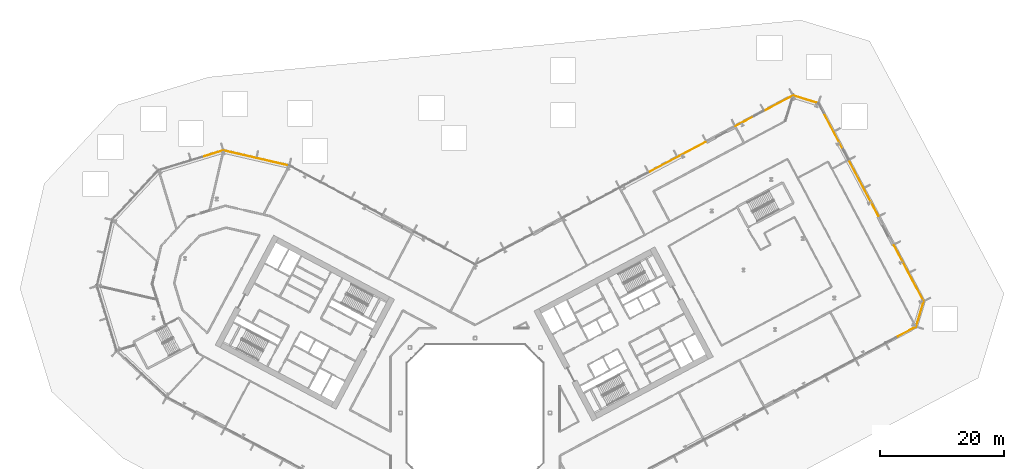
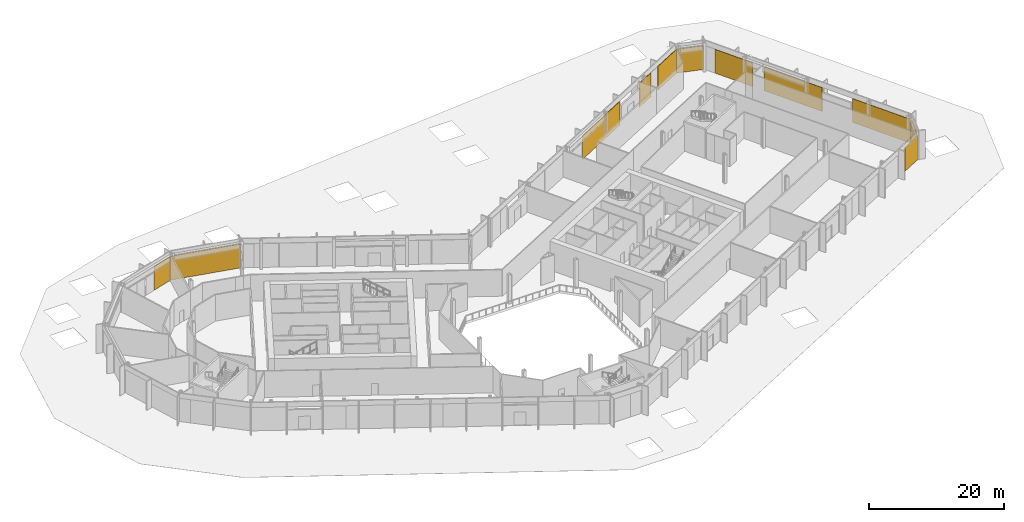
# One storey, part 30 of 30: 11 coverings, 7 elements without a shape of their own.
"""IFC4 building model written with IfcOpenShell, lengths in metres."""

from ifc_helpers import new_model, si_unit, direction, frame, origin, origin_2d, place, context, subcontext, project, spatial, rectangle, extrude, material, layer, layer_set, type_object, element, aggregate, save


model = new_model("IFC4")

# Units and contexts
model_context = context("Model", 3, precision=1e-05, world=origin(), true_north=direction((0.0, 1.0)))
body_context = subcontext(model_context, "Body", "Model", "MODEL_VIEW")
ifc_project = project(units=[si_unit("LENGTHUNIT", "METRE"), si_unit("AREAUNIT", "SQUARE_METRE"), si_unit("VOLUMEUNIT", "CUBIC_METRE"), si_unit("PLANEANGLEUNIT", "RADIAN"), si_unit("MASSUNIT", "GRAM", prefix="KILO")], contexts=[model_context])

# Site, building, storey
site_placement = place(None, origin())
site = spatial("IfcSite", under=ifc_project, at=site_placement, CompositionType="ELEMENT")
building_placement = place(site_placement, origin())
building = spatial("IfcBuilding", under=site, at=building_placement, Name="Cormorant Relay Tower", CompositionType="ELEMENT")
storey_placement = place(building_placement, frame((0.0, 0.0, 7.0)))
storey = spatial("IfcBuildingStorey", under=building, at=storey_placement, Name="L01", CompositionType="ELEMENT", Elevation=7.0)

# Curtain wall, covering
ifc_material_1 = material(Name="Aluminium 6063-T6 anodised bronze", Category="aluminium")
ifc_layer_1 = layer(ifc_material_1, 0.235107421875)
ifc_layer_set_1 = layer_set([ifc_layer_1], Name="CW6 data hall curtain wall with mineral wool panels")
curtain_wall_type = type_object("IfcCurtainWallType", Name="CW6 data hall curtain wall with mineral wool panels", PredefinedType="NOTDEFINED", material=ifc_layer_set_1)
curtain_wall_1_placement = place(storey_placement, origin())
curtain_wall_1 = element("IfcCurtainWall", 1, at=curtain_wall_1_placement, inside=storey, type_object=curtain_wall_type, Name="CW6 curtain wall 2", PredefinedType="NOTDEFINED")
ifc_material_2 = material(Name="Mineral wool cored anodised bronze aluminium cassette panel", Category="aluminium")
ifc_layer_2 = layer(ifc_material_2, 0.074951171875)
ifc_layer_set_2 = layer_set([ifc_layer_2], Name="CW6 mineral wool cassette panel 75")
covering_type = type_object("IfcCoveringType", Name="CW6 mineral wool cassette panel 75", PredefinedType="CLADDING", material=ifc_layer_set_2)
covering_1_placement = place(storey_placement, frame((69.1943359375, 12.96484375, 0.0), z_axis=(0.0, 0.0, 1.0), x_axis=(0.882947592859, 0.469471562786, 0.0)))
covering_1 = element("IfcCovering", 2, at=covering_1_placement, type_object=covering_type, Name="CW6 panel S15", PredefinedType="CLADDING", context=body_context, shape_type="SweptSolid", body=[
    extrude(rectangle(XDim=3.63671875, YDim=0.074951171875, at=origin_2d()), origin(), (0.0, 0.0, 1.0), 4.300048828125),
])
aggregate(curtain_wall_1, [covering_1])

curtain_wall_2_placement = place(storey_placement, origin())
curtain_wall_2 = element("IfcCurtainWall", 3, at=curtain_wall_2_placement, inside=storey, type_object=curtain_wall_type, Name="CW6 curtain wall 3", PredefinedType="NOTDEFINED")
covering_2_placement = place(storey_placement, frame((71.44921875, 15.9052734375, 0.0), z_axis=(0.0, 0.0, 1.0), x_axis=(0.292371704723, 0.956304755963, 0.0)))
covering_2 = element("IfcCovering", 4, at=covering_2_placement, type_object=covering_type, Name="CW6 panel S00", PredefinedType="CLADDING", context=body_context, shape_type="SweptSolid", body=[
    extrude(rectangle(XDim=4.16748046875, YDim=0.074951171875, at=origin_2d()), origin(), (0.0, 0.0, 1.0), 4.300048828125),
])
aggregate(curtain_wall_2, [covering_2])

# Curtain wall, coverings
curtain_wall_3_placement = place(storey_placement, origin())
curtain_wall_3 = element("IfcCurtainWall", 5, at=curtain_wall_3_placement, inside=storey, type_object=curtain_wall_type, Name="CW6 curtain wall 4", PredefinedType="NOTDEFINED")
covering_3_placement = place(storey_placement, frame((69.641357421875, 22.46728515625, 0.0), z_axis=(0.0, 0.0, 1.0), x_axis=(-0.469471562786, 0.882947592859, 0.0)))
covering_3 = element("IfcCovering", 6, at=covering_3_placement, type_object=covering_type, Name="CW6 panel S00", PredefinedType="CLADDING", context=body_context, shape_type="SweptSolid", body=[
    extrude(rectangle(XDim=10.1357421875, YDim=0.074951171875, at=origin_2d()), origin(), (0.0, 0.0, 1.0), 4.300048828125),
])
covering_4_placement = place(storey_placement, frame((62.398193359375, 36.090087890625, 0.0), z_axis=(0.0, 0.0, 1.0), x_axis=(-0.469471562786, 0.882947592859, 0.0)))
covering_4 = element("IfcCovering", 7, at=covering_4_placement, type_object=covering_type, Name="CW6 panel S02", PredefinedType="CLADDING", context=body_context, shape_type="SweptSolid", body=[
    extrude(rectangle(XDim=10.1357421875, YDim=0.074951171875, at=origin_2d()), origin(), (0.0, 0.0, 1.0), 4.300048828125),
])
covering_5_placement = place(storey_placement, frame((57.5517578125, 45.204833984375, 0.0), z_axis=(0.0, 0.0, 1.0), x_axis=(-0.469471562786, 0.882947592859, 0.0)))
covering_5 = element("IfcCovering", 8, at=covering_5_placement, type_object=covering_type, Name="CW6 panel S04", PredefinedType="CLADDING", context=body_context, shape_type="SweptSolid", body=[
    extrude(rectangle(XDim=6.610595703125, YDim=0.074951171875, at=origin_2d()), origin(), (0.0, 0.0, 1.0), 4.300048828125),
])
aggregate(curtain_wall_3, [covering_3, covering_4, covering_5])

# Curtain wall, covering
curtain_wall_4_placement = place(storey_placement, origin())
curtain_wall_4 = element("IfcCurtainWall", 9, at=curtain_wall_4_placement, inside=storey, type_object=curtain_wall_type, Name="CW6 curtain wall 5", PredefinedType="NOTDEFINED")
covering_6_placement = place(storey_placement, frame((53.068115234375, 50.362060546875, 0.0), z_axis=(0.0, 0.0, 1.0), x_axis=(-0.956304755963, 0.292371704723, 0.0)))
covering_6 = element("IfcCovering", 10, at=covering_6_placement, type_object=covering_type, Name="CW6 panel S00", PredefinedType="CLADDING", context=body_context, shape_type="SweptSolid", body=[
    extrude(rectangle(XDim=4.16748046875, YDim=0.074951171875, at=origin_2d()), origin(), (0.0, 0.0, 1.0), 4.300048828125),
])
aggregate(curtain_wall_4, [covering_6])

# Curtain wall, coverings
curtain_wall_5_placement = place(storey_placement, origin())
curtain_wall_5 = element("IfcCurtainWall", 11, at=curtain_wall_5_placement, inside=storey, type_object=curtain_wall_type, Name="CW6 curtain wall 6", PredefinedType="NOTDEFINED")
covering_7_placement = place(storey_placement, frame((48.725830078125, 49.734375, 0.0), z_axis=(0.0, 0.0, 1.0), x_axis=(-0.882947592859, -0.469471562786, 0.0)))
covering_7 = element("IfcCovering", 12, at=covering_7_placement, type_object=covering_type, Name="CW6 panel S00", PredefinedType="CLADDING", context=body_context, shape_type="SweptSolid", body=[
    extrude(rectangle(XDim=5.107666015625, YDim=0.074951171875, at=origin_2d()), origin(), (0.0, 0.0, 1.0), 4.300048828125),
])
covering_8_placement = place(storey_placement, frame((43.288818359375, 46.843505859375, 0.0), z_axis=(0.0, 0.0, 1.0), x_axis=(-0.882947592859, -0.469471562786, 0.0)))
covering_8 = element("IfcCovering", 13, at=covering_8_placement, type_object=covering_type, Name="CW6 panel S02", PredefinedType="CLADDING", context=body_context, shape_type="SweptSolid", body=[
    extrude(rectangle(XDim=3.3076171875, YDim=0.074951171875, at=origin_2d()), origin(), (0.0, 0.0, 1.0), 4.300048828125),
])
covering_9_placement = place(storey_placement, frame((32.47802734375, 41.09521484375, 0.0), z_axis=(0.0, 0.0, 1.0), x_axis=(-0.882947592859, -0.469471562786, 0.0)))
covering_9 = element("IfcCovering", 14, at=covering_9_placement, type_object=covering_type, Name="CW6 panel S04", PredefinedType="CLADDING", context=body_context, shape_type="SweptSolid", body=[
    extrude(rectangle(XDim=10.365234375, YDim=0.074951171875, at=origin_2d()), origin(), (0.0, 0.0, 1.0), 4.300048828125),
])
aggregate(curtain_wall_5, [covering_7, covering_8, covering_9])

# Curtain wall, covering
curtain_wall_6_placement = place(storey_placement, origin())
curtain_wall_6 = element("IfcCurtainWall", 15, at=curtain_wall_6_placement, inside=storey, type_object=curtain_wall_type, Name="CW6 curtain wall 8", PredefinedType="NOTDEFINED")
covering_10_placement = place(storey_placement, frame((-35.19775390625, 40.935791015625, 0.0), z_axis=(0.0, 0.0, 1.0), x_axis=(-0.974370064785, 0.224951054344, 0.0)))
covering_10 = element("IfcCovering", 16, at=covering_10_placement, type_object=covering_type, Name="CW6 panel S00", PredefinedType="CLADDING", context=body_context, shape_type="SweptSolid", body=[
    extrude(rectangle(XDim=10.79541015625, YDim=0.074951171875, at=origin_2d()), origin(), (0.0, 0.0, 1.0), 4.300048828125),
])
aggregate(curtain_wall_6, [covering_10])

curtain_wall_7_placement = place(storey_placement, origin())
curtain_wall_7 = element("IfcCurtainWall", 17, at=curtain_wall_7_placement, inside=storey, type_object=curtain_wall_type, Name="CW6 curtain wall 9", PredefinedType="NOTDEFINED")
covering_11_placement = place(storey_placement, frame((-42.214599609375, 41.617919921875, 0.0), z_axis=(0.0, 0.0, 1.0), x_axis=(-0.956304755963, -0.292371704723, 0.0)))
covering_11 = element("IfcCovering", 18, at=covering_11_placement, type_object=covering_type, Name="CW6 panel S00", PredefinedType="CLADDING", context=body_context, shape_type="SweptSolid", body=[
    extrude(rectangle(XDim=3.485107421875, YDim=0.074951171875, at=origin_2d()), origin(), (0.0, 0.0, 1.0), 4.300048828125),
])
aggregate(curtain_wall_7, [covering_11])

save(model, "model.ifc")
